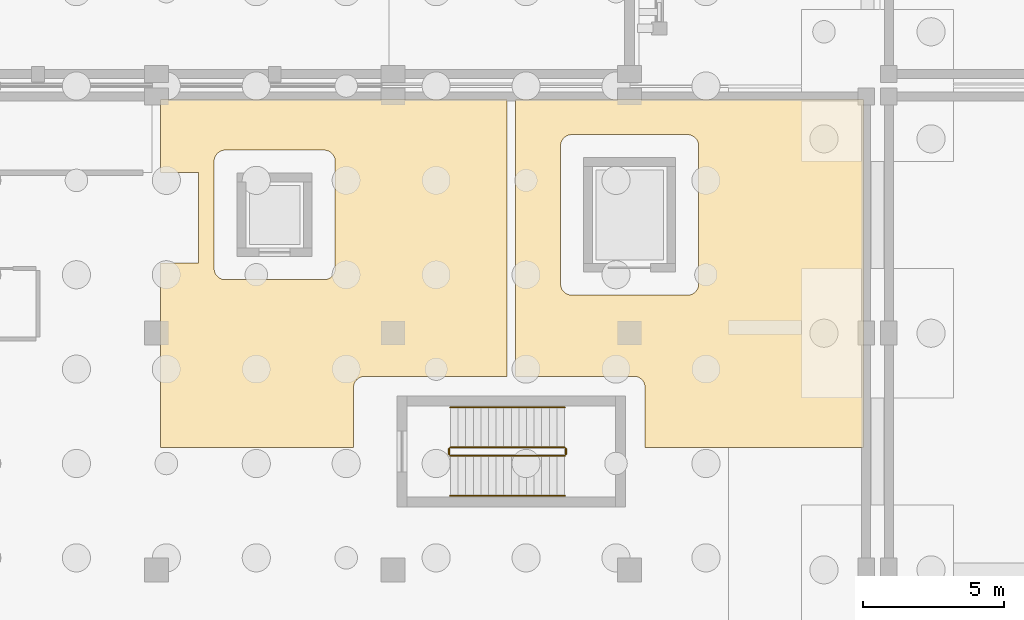
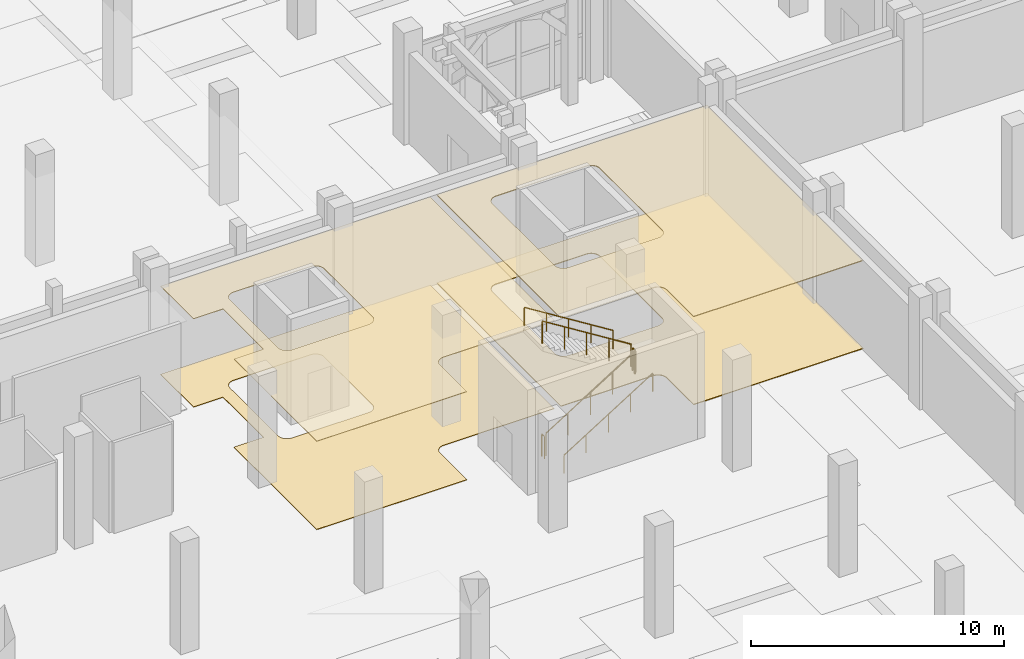
# One storey, part 81 of 98: 6 railings, 4 coverings.
"""IFC4 building model written with IfcOpenShell, lengths in metres."""

from ifc_helpers import new_model, si_unit, direction, frame, origin, origin_2d, place, context, subcontext, project, spatial, polyline, circle, outline, extrude, material, layer, layer_set, type_object, element, save


model = new_model("IFC4")

# Units and contexts
model_context = context("Model", 3, precision=1e-05, world=origin(), true_north=direction((0.0, 1.0)))
body_context = subcontext(model_context, "Body", "Model", "MODEL_VIEW")
ifc_project = project(units=[si_unit("LENGTHUNIT", "METRE"), si_unit("AREAUNIT", "SQUARE_METRE"), si_unit("VOLUMEUNIT", "CUBIC_METRE"), si_unit("PLANEANGLEUNIT", "RADIAN"), si_unit("MASSUNIT", "GRAM", prefix="KILO")], contexts=[model_context])

# Site, building, storey
site_placement = place(None, origin())
site = spatial("IfcSite", under=ifc_project, at=site_placement, CompositionType="ELEMENT")
building_placement = place(site_placement, origin())
building = spatial("IfcBuilding", under=site, at=building_placement, Name="Xazarin Passage Department Store", CompositionType="ELEMENT")
storey_placement = place(building_placement, origin())
storey = spatial("IfcBuildingStorey", under=building, at=storey_placement, Name="L00", CompositionType="ELEMENT", Elevation=0.0)

# Coverings
ifc_material_1 = material(Name="Acoustic mineral ceiling")
ifc_layer_1 = layer(ifc_material_1, 0.030029296875)
ifc_layer_set_1 = layer_set([ifc_layer_1], Name="Acoustic mineral ceiling")
covering_type_1 = type_object("IfcCoveringType", Name="ARC-COV-CLG030", PredefinedType="CEILING", material=ifc_layer_set_1)
covering_1_placement = place(storey_placement, frame((0.0, 0.0, 4.25)))
element("IfcCovering", 1, at=covering_1_placement, inside=storey, type_object=covering_type_1, Name="L00 Spice and Delicatessen Hall Acoustic Ceiling", PredefinedType="CEILING", context=body_context, shape_type="SweptSolid", body=[
    extrude(outline(polyline([(49.0, 37.949951171875), (49.0, 40.070068359375), (49.001953125, 40.109130859375), (49.0078125, 40.14794921875), (49.01708984375, 40.18603515625), (49.030517578125, 40.22314453125), (49.047119140625, 40.258544921875), (49.0673828125, 40.292236328125), (49.0908203125, 40.32373046875), (49.1171875, 40.352783203125), (49.146240234375, 40.379150390625), (49.177734375, 40.402587890625), (49.21142578125, 40.4228515625), (49.246826171875, 40.439697265625), (49.283935546875, 40.452880859375), (49.322021484375, 40.46240234375), (49.36083984375, 40.468017578125), (49.39990234375, 40.469970703125), (54.449951171875, 40.469970703125), (54.449951171875, 50.300048828125), (42.14990234375, 50.300048828125), (42.14990234375, 47.699951171875), (43.5, 47.699951171875), (43.5, 44.5), (42.14990234375, 44.5), (42.14990234375, 37.949951171875), (49.0, 37.949951171875)]), holes=[polyline([(48.35009765625, 44.300048828125), (48.34814453125, 44.2607421875), (48.34228515625, 44.221923828125), (48.332763671875, 44.183837890625), (48.319580078125, 44.14697265625), (48.302734375, 44.111328125), (48.28271484375, 44.077880859375), (48.25927734375, 44.046142578125), (48.23291015625, 44.01708984375), (48.203857421875, 43.99072265625), (48.172119140625, 43.96728515625), (48.138671875, 43.947265625), (48.10302734375, 43.930419921875), (48.066162109375, 43.917236328125), (48.028076171875, 43.90771484375), (47.9892578125, 43.90185546875), (47.949951171875, 43.89990234375), (44.449951171875, 43.89990234375), (44.410888671875, 43.90185546875), (44.3720703125, 43.90771484375), (44.333984375, 43.917236328125), (44.296875, 43.930419921875), (44.261474609375, 43.947265625), (44.227783203125, 43.96728515625), (44.1962890625, 43.99072265625), (44.167236328125, 44.01708984375), (44.140869140625, 44.046142578125), (44.117431640625, 44.077880859375), (44.09716796875, 44.111328125), (44.080322265625, 44.14697265625), (44.067138671875, 44.183837890625), (44.0576171875, 44.221923828125), (44.052001953125, 44.2607421875), (44.050048828125, 44.300048828125), (44.050048828125, 48.10009765625), (44.052001953125, 48.13916015625), (44.0576171875, 48.177978515625), (44.067138671875, 48.216064453125), (44.080322265625, 48.253173828125), (44.09716796875, 48.28857421875), (44.117431640625, 48.322265625), (44.140869140625, 48.353759765625), (44.167236328125, 48.3828125), (44.1962890625, 48.4091796875), (44.227783203125, 48.4326171875), (44.261474609375, 48.452880859375), (44.296875, 48.469482421875), (44.333984375, 48.48291015625), (44.3720703125, 48.4921875), (44.410888671875, 48.498046875), (44.449951171875, 48.5), (47.949951171875, 48.5), (47.9892578125, 48.498046875), (48.028076171875, 48.4921875), (48.066162109375, 48.48291015625), (48.10302734375, 48.469482421875), (48.138671875, 48.452880859375), (48.172119140625, 48.4326171875), (48.203857421875, 48.4091796875), (48.23291015625, 48.3828125), (48.25927734375, 48.353759765625), (48.28271484375, 48.322265625), (48.302734375, 48.28857421875), (48.319580078125, 48.253173828125), (48.332763671875, 48.216064453125), (48.34228515625, 48.177978515625), (48.34814453125, 48.13916015625), (48.35009765625, 48.10009765625), (48.35009765625, 44.300048828125)])]), origin(), (0.0, 0.0, 1.0), 0.030029296875),
])
ifc_layer_2 = layer(ifc_material_1, 0.0400390625)
ifc_layer_set_2 = layer_set([ifc_layer_2], Name="Acoustic mineral ceiling")
covering_type_2 = type_object("IfcCoveringType", Name="ARC-COV-CLG040", PredefinedType="CEILING", material=ifc_layer_set_2)
covering_2_placement = place(storey_placement, frame((0.0, 0.0, 4.239990234375)))
element("IfcCovering", 2, at=covering_2_placement, inside=storey, type_object=covering_type_2, Name="L00 Culinary Market Acoustic Ceiling", PredefinedType="CEILING", context=body_context, shape_type="SweptSolid", body=[
    extrude(outline(polyline([(54.75, 40.469970703125), (58.949951171875, 40.469970703125), (58.9892578125, 40.468017578125), (59.028076171875, 40.46240234375), (59.066162109375, 40.452880859375), (59.10302734375, 40.439697265625), (59.138671875, 40.4228515625), (59.172119140625, 40.402587890625), (59.203857421875, 40.379150390625), (59.23291015625, 40.352783203125), (59.25927734375, 40.32373046875), (59.28271484375, 40.292236328125), (59.302734375, 40.258544921875), (59.319580078125, 40.22314453125), (59.332763671875, 40.18603515625), (59.34228515625, 40.14794921875), (59.34814453125, 40.109130859375), (59.35009765625, 40.070068359375), (59.35009765625, 37.949951171875), (67.10009765625, 37.949951171875), (67.10009765625, 50.300048828125), (54.75, 50.300048828125), (54.75, 40.469970703125)]), holes=[polyline([(56.75, 43.35009765625), (56.710693359375, 43.351806640625), (56.672119140625, 43.357666015625), (56.6337890625, 43.3671875), (56.596923828125, 43.38037109375), (56.561279296875, 43.397216796875), (56.52783203125, 43.41748046875), (56.49609375, 43.44091796875), (56.46728515625, 43.46728515625), (56.44091796875, 43.49609375), (56.41748046875, 43.52783203125), (56.397216796875, 43.561279296875), (56.38037109375, 43.596923828125), (56.3671875, 43.6337890625), (56.357666015625, 43.672119140625), (56.351806640625, 43.710693359375), (56.35009765625, 43.75), (56.35009765625, 48.64990234375), (56.351806640625, 48.689208984375), (56.357666015625, 48.72802734375), (56.3671875, 48.76611328125), (56.38037109375, 48.802978515625), (56.397216796875, 48.838623046875), (56.41748046875, 48.872314453125), (56.44091796875, 48.90380859375), (56.46728515625, 48.932861328125), (56.49609375, 48.959228515625), (56.52783203125, 48.982666015625), (56.561279296875, 49.002685546875), (56.596923828125, 49.01953125), (56.6337890625, 49.03271484375), (56.672119140625, 49.042236328125), (56.710693359375, 49.048095703125), (56.75, 49.050048828125), (60.85009765625, 49.050048828125), (60.88916015625, 49.048095703125), (60.927978515625, 49.042236328125), (60.966064453125, 49.03271484375), (61.003173828125, 49.01953125), (61.03857421875, 49.002685546875), (61.072265625, 48.982666015625), (61.103759765625, 48.959228515625), (61.1328125, 48.932861328125), (61.1591796875, 48.90380859375), (61.1826171875, 48.872314453125), (61.202880859375, 48.838623046875), (61.219482421875, 48.802978515625), (61.23291015625, 48.76611328125), (61.2421875, 48.72802734375), (61.248046875, 48.689208984375), (61.25, 48.64990234375), (61.25, 43.75), (61.248046875, 43.710693359375), (61.2421875, 43.672119140625), (61.23291015625, 43.6337890625), (61.219482421875, 43.596923828125), (61.202880859375, 43.561279296875), (61.1826171875, 43.52783203125), (61.1591796875, 43.49609375), (61.1328125, 43.46728515625), (61.103759765625, 43.44091796875), (61.072265625, 43.41748046875), (61.03857421875, 43.397216796875), (61.003173828125, 43.38037109375), (60.966064453125, 43.3671875), (60.927978515625, 43.357666015625), (60.88916015625, 43.351806640625), (60.85009765625, 43.35009765625), (56.75, 43.35009765625)])]), origin(), (0.0, 0.0, 1.0), 0.0400390625),
])
ifc_material_2 = material(Name="Terrazzo stone flooring", Category="masonry")
ifc_layer_3 = layer(ifc_material_2, 0.02490234375)
ifc_layer_set_3 = layer_set([ifc_layer_3], Name="Terrazzo stone flooring")
covering_type_3 = type_object("IfcCoveringType", Name="ARC-COV-FLR025", PredefinedType="FLOORING", material=ifc_layer_set_3)
covering_3_placement = place(storey_placement, origin())
element("IfcCovering", 3, at=covering_3_placement, inside=storey, type_object=covering_type_3, Name="L00 Spice and Delicatessen Hall Terrazzo Flooring", PredefinedType="FLOORING", context=body_context, shape_type="SweptSolid", body=[
    extrude(outline(polyline([(49.0, 37.949951171875), (49.0, 40.070068359375), (49.001953125, 40.109130859375), (49.0078125, 40.14794921875), (49.01708984375, 40.18603515625), (49.030517578125, 40.22314453125), (49.047119140625, 40.258544921875), (49.0673828125, 40.292236328125), (49.0908203125, 40.32373046875), (49.1171875, 40.352783203125), (49.146240234375, 40.379150390625), (49.177734375, 40.402587890625), (49.21142578125, 40.4228515625), (49.246826171875, 40.439697265625), (49.283935546875, 40.452880859375), (49.322021484375, 40.46240234375), (49.36083984375, 40.468017578125), (49.39990234375, 40.469970703125), (54.449951171875, 40.469970703125), (54.449951171875, 50.300048828125), (42.14990234375, 50.300048828125), (42.14990234375, 47.699951171875), (43.5, 47.699951171875), (43.5, 44.5), (42.14990234375, 44.5), (42.14990234375, 37.949951171875), (49.0, 37.949951171875)]), holes=[polyline([(48.35009765625, 44.300048828125), (48.34814453125, 44.2607421875), (48.34228515625, 44.221923828125), (48.332763671875, 44.183837890625), (48.319580078125, 44.14697265625), (48.302734375, 44.111328125), (48.28271484375, 44.077880859375), (48.25927734375, 44.046142578125), (48.23291015625, 44.01708984375), (48.203857421875, 43.99072265625), (48.172119140625, 43.96728515625), (48.138671875, 43.947265625), (48.10302734375, 43.930419921875), (48.066162109375, 43.917236328125), (48.028076171875, 43.90771484375), (47.9892578125, 43.90185546875), (47.949951171875, 43.89990234375), (44.449951171875, 43.89990234375), (44.410888671875, 43.90185546875), (44.3720703125, 43.90771484375), (44.333984375, 43.917236328125), (44.296875, 43.930419921875), (44.261474609375, 43.947265625), (44.227783203125, 43.96728515625), (44.1962890625, 43.99072265625), (44.167236328125, 44.01708984375), (44.140869140625, 44.046142578125), (44.117431640625, 44.077880859375), (44.09716796875, 44.111328125), (44.080322265625, 44.14697265625), (44.067138671875, 44.183837890625), (44.0576171875, 44.221923828125), (44.052001953125, 44.2607421875), (44.050048828125, 44.300048828125), (44.050048828125, 48.10009765625), (44.052001953125, 48.13916015625), (44.0576171875, 48.177978515625), (44.067138671875, 48.216064453125), (44.080322265625, 48.253173828125), (44.09716796875, 48.28857421875), (44.117431640625, 48.322265625), (44.140869140625, 48.353759765625), (44.167236328125, 48.3828125), (44.1962890625, 48.4091796875), (44.227783203125, 48.4326171875), (44.261474609375, 48.452880859375), (44.296875, 48.469482421875), (44.333984375, 48.48291015625), (44.3720703125, 48.4921875), (44.410888671875, 48.498046875), (44.449951171875, 48.5), (47.949951171875, 48.5), (47.9892578125, 48.498046875), (48.028076171875, 48.4921875), (48.066162109375, 48.48291015625), (48.10302734375, 48.469482421875), (48.138671875, 48.452880859375), (48.172119140625, 48.4326171875), (48.203857421875, 48.4091796875), (48.23291015625, 48.3828125), (48.25927734375, 48.353759765625), (48.28271484375, 48.322265625), (48.302734375, 48.28857421875), (48.319580078125, 48.253173828125), (48.332763671875, 48.216064453125), (48.34228515625, 48.177978515625), (48.34814453125, 48.13916015625), (48.35009765625, 48.10009765625), (48.35009765625, 44.300048828125)])]), origin(), (0.0, 0.0, 1.0), 0.02490234375),
])
ifc_layer_4 = layer(ifc_material_2, 0.034912109375)
ifc_layer_set_4 = layer_set([ifc_layer_4], Name="Terrazzo stone flooring")
covering_type_4 = type_object("IfcCoveringType", Name="ARC-COV-FLR035", PredefinedType="FLOORING", material=ifc_layer_set_4)
covering_4_placement = place(storey_placement, origin())
element("IfcCovering", 4, at=covering_4_placement, inside=storey, type_object=covering_type_4, Name="L00 Culinary Market Terrazzo Flooring", PredefinedType="FLOORING", context=body_context, shape_type="SweptSolid", body=[
    extrude(outline(polyline([(54.75, 40.469970703125), (58.949951171875, 40.469970703125), (58.9892578125, 40.468017578125), (59.028076171875, 40.46240234375), (59.066162109375, 40.452880859375), (59.10302734375, 40.439697265625), (59.138671875, 40.4228515625), (59.172119140625, 40.402587890625), (59.203857421875, 40.379150390625), (59.23291015625, 40.352783203125), (59.25927734375, 40.32373046875), (59.28271484375, 40.292236328125), (59.302734375, 40.258544921875), (59.319580078125, 40.22314453125), (59.332763671875, 40.18603515625), (59.34228515625, 40.14794921875), (59.34814453125, 40.109130859375), (59.35009765625, 40.070068359375), (59.35009765625, 37.949951171875), (67.10009765625, 37.949951171875), (67.10009765625, 50.300048828125), (54.75, 50.300048828125), (54.75, 40.469970703125)]), holes=[polyline([(56.75, 43.35009765625), (56.710693359375, 43.351806640625), (56.672119140625, 43.357666015625), (56.6337890625, 43.3671875), (56.596923828125, 43.38037109375), (56.561279296875, 43.397216796875), (56.52783203125, 43.41748046875), (56.49609375, 43.44091796875), (56.46728515625, 43.46728515625), (56.44091796875, 43.49609375), (56.41748046875, 43.52783203125), (56.397216796875, 43.561279296875), (56.38037109375, 43.596923828125), (56.3671875, 43.6337890625), (56.357666015625, 43.672119140625), (56.351806640625, 43.710693359375), (56.35009765625, 43.75), (56.35009765625, 48.64990234375), (56.351806640625, 48.689208984375), (56.357666015625, 48.72802734375), (56.3671875, 48.76611328125), (56.38037109375, 48.802978515625), (56.397216796875, 48.838623046875), (56.41748046875, 48.872314453125), (56.44091796875, 48.90380859375), (56.46728515625, 48.932861328125), (56.49609375, 48.959228515625), (56.52783203125, 48.982666015625), (56.561279296875, 49.002685546875), (56.596923828125, 49.01953125), (56.6337890625, 49.03271484375), (56.672119140625, 49.042236328125), (56.710693359375, 49.048095703125), (56.75, 49.050048828125), (60.85009765625, 49.050048828125), (60.88916015625, 49.048095703125), (60.927978515625, 49.042236328125), (60.966064453125, 49.03271484375), (61.003173828125, 49.01953125), (61.03857421875, 49.002685546875), (61.072265625, 48.982666015625), (61.103759765625, 48.959228515625), (61.1328125, 48.932861328125), (61.1591796875, 48.90380859375), (61.1826171875, 48.872314453125), (61.202880859375, 48.838623046875), (61.219482421875, 48.802978515625), (61.23291015625, 48.76611328125), (61.2421875, 48.72802734375), (61.248046875, 48.689208984375), (61.25, 48.64990234375), (61.25, 43.75), (61.248046875, 43.710693359375), (61.2421875, 43.672119140625), (61.23291015625, 43.6337890625), (61.219482421875, 43.596923828125), (61.202880859375, 43.561279296875), (61.1826171875, 43.52783203125), (61.1591796875, 43.49609375), (61.1328125, 43.46728515625), (61.103759765625, 43.44091796875), (61.072265625, 43.41748046875), (61.03857421875, 43.397216796875), (61.003173828125, 43.38037109375), (60.966064453125, 43.3671875), (60.927978515625, 43.357666015625), (60.88916015625, 43.351806640625), (60.85009765625, 43.35009765625), (56.75, 43.35009765625)])]), origin(), (0.0, 0.0, 1.0), 0.034912109375),
])

# Railings
ifc_material_3 = material(Name="Steel S355", Category="steel")
railing_type_1 = type_object("IfcRailingType", Name="ARC-RL-GRD112", PredefinedType="GUARDRAIL", material=ifc_material_3)
railing_1_placement = place(storey_placement, frame((52.43994140625, 37.64990234375, 0.168701171875)))
element("IfcRailing", 5, at=railing_1_placement, inside=storey, type_object=railing_type_1, Name="L00 ST9 stair guard 1", PredefinedType="GUARDRAIL", context=body_context, shape_type="SweptSolid", body=[
    extrude(circle(Radius=0.02392578125, at=origin_2d()), frame((0.0, 0.0, 1.076171875), z_axis=(0.848001175806, 0.0, 0.529994345094), x_axis=(0.0, 1.0, 0.0)), (0.0, 0.0, 1.0), 4.77587890625),
    extrude(circle(Radius=0.02099609375, at=origin_2d()), origin(), (0.0, 0.0, 1.0), 1.0517578125),
    extrude(circle(Radius=0.02099609375, at=origin_2d()), frame((1.012451171875, 0.0, 0.6328125)), (0.0, 0.0, 1.0), 1.0517578125),
    extrude(circle(Radius=0.02099609375, at=origin_2d()), frame((2.02490234375, 0.0, 1.265625)), (0.0, 0.0, 1.0), 1.0517578125),
    extrude(circle(Radius=0.02099609375, at=origin_2d()), frame((3.03759765625, 0.0, 1.8984375)), (0.0, 0.0, 1.0), 1.0517578125),
    extrude(circle(Radius=0.02099609375, at=origin_2d()), frame((4.050048828125, 0.0, 2.53125)), (0.0, 0.0, 1.0), 1.0517578125),
])
railing_2_placement = place(storey_placement, frame((56.5400390625, 37.699951171875, 2.699951171875)))
element("IfcRailing", 6, at=railing_2_placement, inside=storey, type_object=railing_type_1, Name="L00 ST9 stair guard 2", PredefinedType="GUARDRAIL", context=body_context, shape_type="SweptSolid", body=[
    extrude(circle(Radius=0.02392578125, at=origin_2d()), frame((0.0, 0.0, 1.076171875), z_axis=(0.0, 1.0, 0.0), x_axis=(-1.0, 0.0, 0.0)), (0.0, 0.0, 1.0), 0.199951171875),
    extrude(circle(Radius=0.02099609375, at=origin_2d()), origin(), (0.0, 0.0, 1.0), 1.0517578125),
    extrude(circle(Radius=0.02099609375, at=origin_2d()), frame((0.0, 0.199951171875, 0.0)), (0.0, 0.0, 1.0), 1.0517578125),
])
railing_3_placement = place(storey_placement, frame((56.489990234375, 37.949951171875, 2.86865234375)))
element("IfcRailing", 7, at=railing_3_placement, inside=storey, type_object=railing_type_1, Name="L00 ST9 stair guard 3", PredefinedType="GUARDRAIL", context=body_context, shape_type="SweptSolid", body=[
    extrude(circle(Radius=0.02392578125, at=origin_2d()), frame((0.0, 0.0, 1.076171875), z_axis=(-0.848001175806, 0.0, 0.529994345094), x_axis=(0.0, -1.0, 0.0)), (0.0, 0.0, 1.0), 4.77587890625),
    extrude(circle(Radius=0.02099609375, at=origin_2d()), origin(), (0.0, 0.0, 1.0), 1.0517578125),
    extrude(circle(Radius=0.02099609375, at=origin_2d()), frame((-1.012451171875, 0.0, 0.6328125)), (0.0, 0.0, 1.0), 1.0517578125),
    extrude(circle(Radius=0.02099609375, at=origin_2d()), frame((-2.02490234375, 0.0, 1.265625)), (0.0, 0.0, 1.0), 1.0517578125),
    extrude(circle(Radius=0.02099609375, at=origin_2d()), frame((-3.03759765625, 0.0, 1.8984375)), (0.0, 0.0, 1.0), 1.0517578125),
    extrude(circle(Radius=0.02099609375, at=origin_2d()), frame((-4.050048828125, 0.0, 2.53125)), (0.0, 0.0, 1.0), 1.0517578125),
])
railing_4_placement = place(storey_placement, frame((52.389892578125, 37.699951171875, 0.0)))
element("IfcRailing", 8, at=railing_4_placement, inside=storey, type_object=railing_type_1, Name="L00 ST9 stair guard 4", PredefinedType="GUARDRAIL", context=body_context, shape_type="SweptSolid", body=[
    extrude(circle(Radius=0.02392578125, at=origin_2d()), frame((0.0, 0.0, 1.076171875), z_axis=(0.0, 1.0, 0.0), x_axis=(-1.0, 0.0, 0.0)), (0.0, 0.0, 1.0), 0.199951171875),
    extrude(circle(Radius=0.02099609375, at=origin_2d()), origin(), (0.0, 0.0, 1.0), 1.0517578125),
    extrude(circle(Radius=0.02099609375, at=origin_2d()), frame((0.0, 0.199951171875, 0.0)), (0.0, 0.0, 1.0), 1.0517578125),
])
railing_type_2 = type_object("IfcRailingType", Name="ARC-RL-HND090", PredefinedType="HANDRAIL", material=ifc_material_3)
railing_5_placement = place(storey_placement, frame((52.43994140625, 36.22998046875, 0.168701171875)))
element("IfcRailing", 9, at=railing_5_placement, inside=storey, type_object=railing_type_2, Name="L00 ST9 stair handrail 1", PredefinedType="HANDRAIL", context=body_context, shape_type="SweptSolid", body=[
    extrude(circle(Radius=0.02392578125, at=origin_2d()), frame((0.0, 0.0, 0.8759765625), z_axis=(0.848001175806, 0.0, 0.529994345094), x_axis=(0.0, 1.0, 0.0)), (0.0, 0.0, 1.0), 4.77587890625),
    extrude(circle(Radius=0.02099609375, at=origin_2d()), origin(), (0.0, 0.0, 1.0), 0.8515625),
    extrude(circle(Radius=0.02099609375, at=origin_2d()), frame((1.012451171875, 0.0, 0.6328125)), (0.0, 0.0, 1.0), 0.8515625),
    extrude(circle(Radius=0.02099609375, at=origin_2d()), frame((2.02490234375, 0.0, 1.265625)), (0.0, 0.0, 1.0), 0.8515625),
    extrude(circle(Radius=0.02099609375, at=origin_2d()), frame((3.03759765625, 0.0, 1.8984375)), (0.0, 0.0, 1.0), 0.8515625),
    extrude(circle(Radius=0.02099609375, at=origin_2d()), frame((4.050048828125, 0.0, 2.53125)), (0.0, 0.0, 1.0), 0.8515625),
])
railing_6_placement = place(storey_placement, frame((56.489990234375, 39.3701171875, 2.86865234375)))
element("IfcRailing", 10, at=railing_6_placement, inside=storey, type_object=railing_type_2, Name="L00 ST9 stair handrail 2", PredefinedType="HANDRAIL", context=body_context, shape_type="SweptSolid", body=[
    extrude(circle(Radius=0.02392578125, at=origin_2d()), frame((0.0, 0.0, 0.8759765625), z_axis=(-0.848001175806, 0.0, 0.529994345094), x_axis=(0.0, -1.0, 0.0)), (0.0, 0.0, 1.0), 4.77587890625),
    extrude(circle(Radius=0.02099609375, at=origin_2d()), origin(), (0.0, 0.0, 1.0), 0.8515625),
    extrude(circle(Radius=0.02099609375, at=origin_2d()), frame((-1.012451171875, 0.0, 0.6328125)), (0.0, 0.0, 1.0), 0.8515625),
    extrude(circle(Radius=0.02099609375, at=origin_2d()), frame((-2.02490234375, 0.0, 1.265625)), (0.0, 0.0, 1.0), 0.8515625),
    extrude(circle(Radius=0.02099609375, at=origin_2d()), frame((-3.03759765625, 0.0, 1.8984375)), (0.0, 0.0, 1.0), 0.8515625),
    extrude(circle(Radius=0.02099609375, at=origin_2d()), frame((-4.050048828125, 0.0, 2.53125)), (0.0, 0.0, 1.0), 0.8515625),
])

save(model, "model.ifc")
